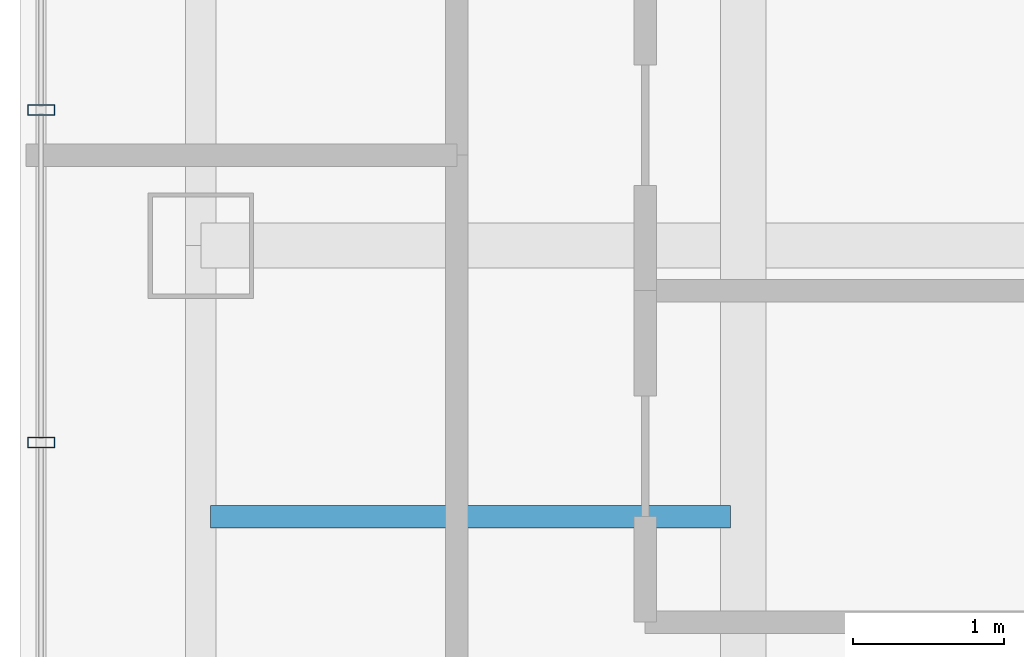
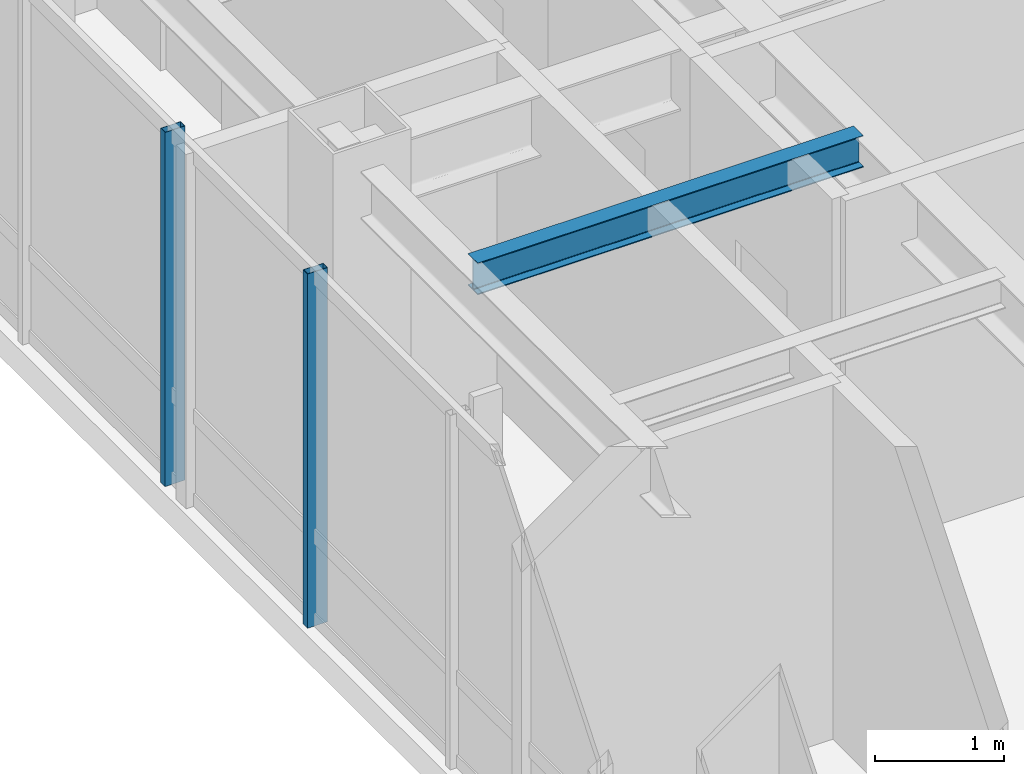
# One storey, part 6 of 26: 2 members, 1 beam, 1 element without a shape of its own.
"""IFC4 building model written with IfcOpenShell, lengths in metres."""

from ifc_helpers import new_model, si_unit, direction, frame, origin, origin_2d, place, context, subcontext, project, spatial, hollow_rectangle, i_section, extrude, material, layer, layer_set, material_profile, profile_set, type_object, element, aggregate, save


model = new_model("IFC4")

# Units and contexts
model_context = context("Model", 3, precision=1e-05, world=origin(), true_north=direction((0.0, 1.0)))
body_context = subcontext(model_context, "Body", "Model", "MODEL_VIEW")
ifc_project = project(units=[si_unit("LENGTHUNIT", "METRE"), si_unit("AREAUNIT", "SQUARE_METRE"), si_unit("VOLUMEUNIT", "CUBIC_METRE"), si_unit("PLANEANGLEUNIT", "RADIAN"), si_unit("MASSUNIT", "GRAM", prefix="KILO")], contexts=[model_context])

# Site, building, storey
site_placement = place(None, origin())
site = spatial("IfcSite", under=ifc_project, at=site_placement, CompositionType="ELEMENT")
building_placement = place(site_placement, origin())
building = spatial("IfcBuilding", under=site, at=building_placement, Name="Hatsunagi Terrace Concourse", CompositionType="ELEMENT")
storey_placement = place(building_placement, frame((0.0, 0.0, 209.550048828125)))
storey = spatial("IfcBuildingStorey", under=building, at=storey_placement, Name="L55", CompositionType="ELEMENT", Elevation=209.550048828125)

# Curtain wall, members
ifc_material_1 = material(Name="Anodised Aluminium Alloy 6063-T5", Category="aluminium")
ifc_layer = layer(ifc_material_1, 0.199951171875)
ifc_layer_set = layer_set([ifc_layer], Name="OfficeZone2_CW04")
curtain_wall_type = type_object("IfcCurtainWallType", Name="OfficeZone2_CW04", PredefinedType="NOTDEFINED", material=ifc_layer_set)
curtain_wall_placement = place(storey_placement, origin())
curtain_wall = element("IfcCurtainWall", 1, at=curtain_wall_placement, inside=storey, type_object=curtain_wall_type, Name="Unitised Curtain Wall CW-04 CW-L55-08", PredefinedType="NOTDEFINED")
ifc_material_2 = material(Name="Anodised Aluminium Alloy 6063-T5", Category="aluminium")
ifc_material_profile_1 = material_profile(ifc_material_2, hollow_rectangle(XDim=0.070068359375, YDim=0.179931640625, WallThickness=0.00390625, at=origin_2d()), Name="ALU-MUL-180x70x4")
ifc_profile_set_1 = profile_set([ifc_material_profile_1], Name="Anodised Aluminium Alloy 6063-T5")
member_type = type_object("IfcMemberType", Name="CurtainWallMullion_180x70", PredefinedType="MULLION", material=ifc_profile_set_1)
member_1_placement = place(storey_placement, frame((18.139892578125, 34.69189453125, 0.0), z_axis=(0.0, 0.0, 1.0), x_axis=(0.0, 1.0, 0.0)))
member_1 = element("IfcMember", 2, at=member_1_placement, type_object=member_type, Name="Curtain Wall Mullion MUL-02", PredefinedType="MULLION", context=body_context, shape_type="SweptSolid", body=[
    extrude(hollow_rectangle(XDim=0.070068359375, YDim=0.179931640625, WallThickness=0.00390625, at=origin_2d()), origin(), (0.0, 0.0, 1.0), 3.349853515625),
])
member_2_placement = place(storey_placement, frame((18.139892578125, 36.89990234375, 0.0), z_axis=(0.0, 0.0, 1.0), x_axis=(0.0, 1.0, 0.0)))
member_2 = element("IfcMember", 3, at=member_2_placement, type_object=member_type, Name="Curtain Wall Mullion MUL-02", PredefinedType="MULLION", context=body_context, shape_type="SweptSolid", body=[
    extrude(hollow_rectangle(XDim=0.070068359375, YDim=0.179931640625, WallThickness=0.00390625, at=origin_2d()), origin(), (0.0, 0.0, 1.0), 3.349853515625),
])
aggregate(curtain_wall, [member_1, member_2])

# Beam
ifc_material_3 = material(Name="Steel SN490B", Category="steel")
ifc_material_profile_2 = material_profile(ifc_material_3, i_section(OverallWidth=0.14990234375, OverallDepth=0.300048828125, WebThickness=0.006591796875, FlangeThickness=0.009033203125, FilletRadius=0.010986328125, at=origin_2d()), Name="H-300x150x6.5x9")
ifc_profile_set_2 = profile_set([ifc_material_profile_2], Name="Steel SN490B")
beam_type = type_object("IfcBeamType", Name="OfficeJoist_H_300x150", PredefinedType="JOIST", material=ifc_profile_set_2)
beam_placement = place(storey_placement, frame((19.264892578125, 34.199951171875, 3.199951171875), z_axis=(1.0, 0.0, 0.0), x_axis=(0.0, 1.0, 0.0)))
element("IfcBeam", 4, at=beam_placement, inside=storey, type_object=beam_type, Name="Beam J-03 J-L55-W-19-342", PredefinedType="JOIST", context=body_context, shape_type="SweptSolid", body=[
    extrude(i_section(OverallWidth=0.14990234375, OverallDepth=0.300048828125, WebThickness=0.006591796875, FlangeThickness=0.009033203125, FilletRadius=0.010986328125, at=origin_2d()), origin(), (0.0, 0.0, 1.0), 3.4501953125),
])

save(model, "model.ifc")
